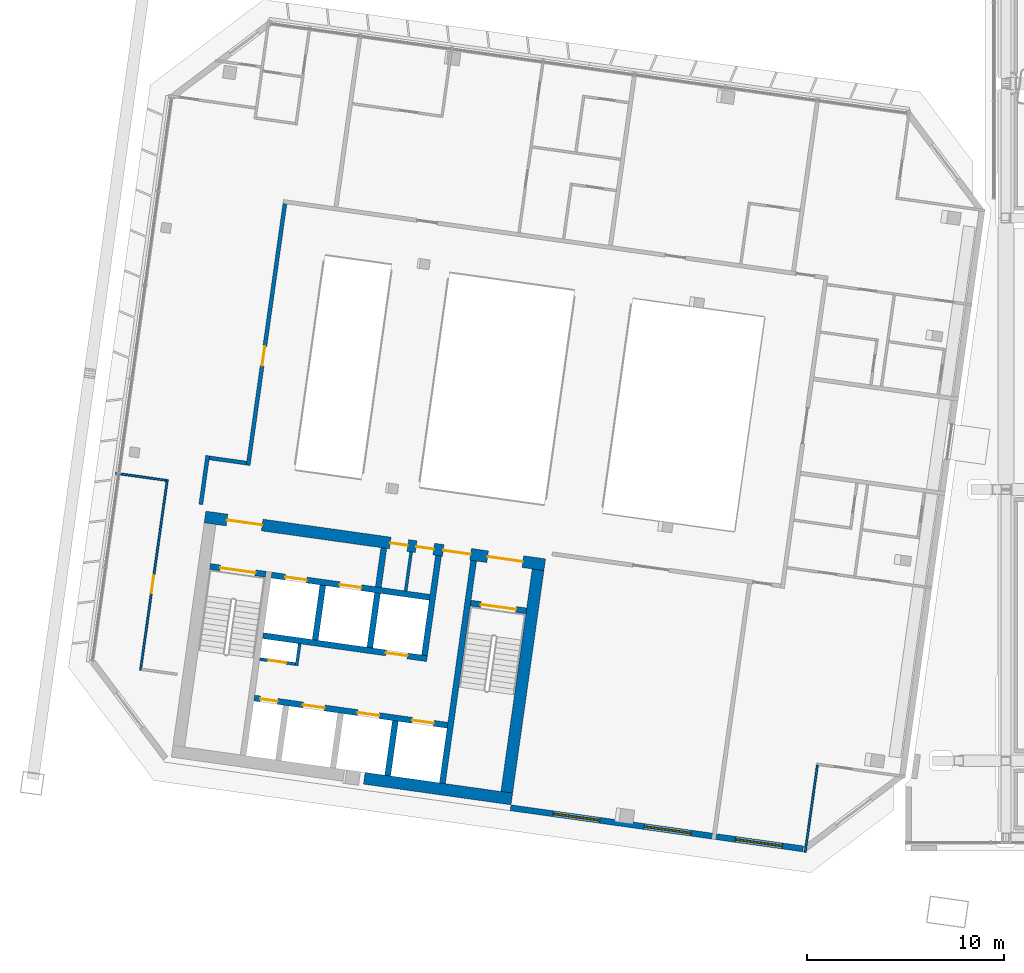
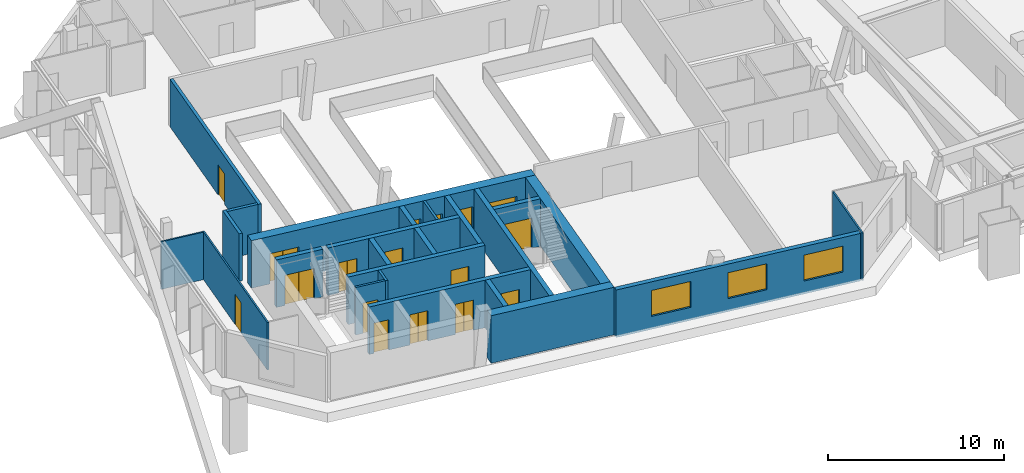
# One storey, part 15 of 28: 24 walls, 17 doors, 3 windows, 20 openings.
"""IFC4 building model written with IfcOpenShell, lengths in metres."""

import ifcopenshell
import ifcopenshell.guid

model = None  # the IFC model being written
_history = None  # IfcOwnerHistory: only IFC2X3 demands one
_inside = {}  # id of a spatial element -> (the spatial element, [elements in it])
_under = {}  # id of a project, library or spatial element -> (it, [spatial elements below it])
_declared = {}  # id of a project -> (the project, [libraries it declares])
_typed = {}  # id of a type object -> (the type object, [elements of that type])
_made_of = {}  # id of a material, layer set ... -> (it, [elements and type objects made of it])


def new_model(schema):
    """Start an empty IFC model of exactly this schema.

    Asked for "IFC4X3", IfcOpenShell would pick the latest addendum, in which some entities
    have other attributes; the version numbers below select the first issue.
    IFC2X3 requires an IfcOwnerHistory on every rooted entity: one is made here for all.
    """
    global model, _history
    if schema == "IFC4X3":
        model = ifcopenshell.file(schema_version=(4, 3, 0, 0))
    else:
        model = ifcopenshell.file(schema=schema)
    _inside.clear()
    _under.clear()
    _declared.clear()
    _typed.clear()
    _made_of.clear()
    _history = None
    if model.schema == "IFC2X3":
        org = make("IfcOrganization", Name="unknown")
        user = make(
            "IfcPersonAndOrganization",
            ThePerson=make("IfcPerson", FamilyName="unknown"),
            TheOrganization=org,
        )
        app = make(
            "IfcApplication",
            ApplicationDeveloper=org,
            Version="unknown",
            ApplicationFullName="unknown",
            ApplicationIdentifier="unknown",
        )
        _history = make(
            "IfcOwnerHistory",
            OwningUser=user,
            OwningApplication=app,
            ChangeAction="ADDED",
            CreationDate=0,
        )
    return model


def make(cls, **values):
    """One entity of the class cls with the attributes given. An attribute that is None is left unset."""
    return model.create_entity(
        cls, **{name: value for name, value in values.items() if value is not None}
    )


def rooted(cls, **values):
    """An entity with a GlobalId (a new one), such as an element, a storey or a relation."""
    return make(cls, GlobalId=ifcopenshell.guid.new(), OwnerHistory=_history, **values)


def si_unit(unit_type, name, prefix=None):
    """IfcSIUnit, for example si_unit("LENGTHUNIT", "METRE", prefix="MILLI")."""
    return make("IfcSIUnit", UnitType=unit_type, Prefix=prefix, Name=name)


def assignment(units):
    """IfcUnitAssignment: the units of a project."""
    return None if units is None else make("IfcUnitAssignment", Units=units)


def point(xyz):
    """IfcCartesianPoint."""
    return None if xyz is None else make("IfcCartesianPoint", Coordinates=xyz)


def direction(xyz):
    """IfcDirection."""
    return None if xyz is None else make("IfcDirection", DirectionRatios=xyz)


def frame(location, z_axis=None, x_axis=None):
    """IfcAxis2Placement3D, a coordinate frame: its origin and axes. An axis left out is left unset."""
    return make(
        "IfcAxis2Placement3D",
        Location=point(location),
        Axis=direction(z_axis),
        RefDirection=direction(x_axis),
    )


def frame_2d(location, x_axis=None):
    """IfcAxis2Placement2D, a coordinate frame in the plane: its origin and x axis."""
    return make(
        "IfcAxis2Placement2D", Location=point(location), RefDirection=direction(x_axis)
    )


def origin():
    """The frame at (0, 0, 0) with its axes left unset."""
    return frame((0.0, 0.0, 0.0))


def place(relative_to, where):
    """IfcLocalPlacement: puts the frame where relative to a parent placement (None: the world)."""
    return make(
        "IfcLocalPlacement", PlacementRelTo=relative_to, RelativePlacement=where
    )


def context(
    kind, dimensions, precision=None, world=None, true_north=None, identifier=None
):
    """IfcGeometricRepresentationContext, for example the 3D "Model" context."""
    return make(
        "IfcGeometricRepresentationContext",
        ContextIdentifier=identifier,
        ContextType=kind,
        CoordinateSpaceDimension=dimensions,
        Precision=precision,
        WorldCoordinateSystem=world,
        TrueNorth=true_north,
    )


def subcontext(parent, identifier, kind, view, scale=None):
    """IfcGeometricRepresentationSubContext, for example "Body" below "Model"."""
    return make(
        "IfcGeometricRepresentationSubContext",
        ContextIdentifier=identifier,
        ContextType=kind,
        ParentContext=parent,
        TargetScale=scale,
        TargetView=view,
    )


def project(units=None, contexts=None):
    """IfcProject with its units and contexts."""
    return rooted(
        "IfcProject",
        Name="project",
        RepresentationContexts=contexts,
        UnitsInContext=assignment(units),
    )


def spatial(cls, under=None, at=None, **own):
    """A site, building, storey or space (cls), placed at a placement, below another one or the project."""
    s = rooted(cls, ObjectPlacement=at, **own)
    if under is not None:
        _under.setdefault(under.id(), (under, []))[1].append(s)
    return s


def profile(cls, at=None, kind="AREA", **sizes):
    """A parametric profile (cls). Its sizes go by their IFC names, for example OverallWidth=200.0."""
    return make(cls, ProfileType=kind, Position=at, **sizes)


def rectangle(**sizes):
    """IfcRectangleProfileDef."""
    return profile("IfcRectangleProfileDef", **sizes)


def extrude(swept, where, along, depth):
    """IfcExtrudedAreaSolid: the profile swept, set in the frame where, extruded along a direction by depth."""
    return make(
        "IfcExtrudedAreaSolid",
        SweptArea=swept,
        Position=where,
        ExtrudedDirection=direction(along),
        Depth=depth,
    )


def shape(context_of_items, identifier, shape_type, items):
    """IfcShapeRepresentation: the items that make up one representation, for example the "Body"."""
    return make(
        "IfcShapeRepresentation",
        ContextOfItems=context_of_items,
        RepresentationIdentifier=identifier,
        RepresentationType=shape_type,
        Items=items,
    )


def material(Name=None, Category=None):
    """IfcMaterial."""
    return make("IfcMaterial", Name=Name, Category=Category)


def layer(
    of_material, thickness, ventilated=None, Name=None, Category=None, Priority=None
):
    """IfcMaterialLayer: one layer of a wall or slab, of a material (None: an air gap)."""
    return make(
        "IfcMaterialLayer",
        Material=of_material,
        LayerThickness=thickness,
        IsVentilated=ventilated,
        Name=Name,
        Category=Category,
        Priority=Priority,
    )


def layer_set(layers, Name=None):
    """IfcMaterialLayerSet."""
    return make("IfcMaterialLayerSet", MaterialLayers=layers, LayerSetName=Name)


def made_of(thing, what):
    """Note that an element or type object is made of a material, layer set ...; save() writes the relation."""
    if what is not None:
        _made_of.setdefault(what.id(), (what, []))[1].append(thing)
    return thing


def type_object(cls, material=None, **own):
    """A type object (cls), such as IfcWallType, which elements share."""
    return made_of(rooted(cls, **own), material)


def element(
    cls,
    number,
    at=None,
    inside=None,
    cuts=None,
    type_object=None,
    material=None,
    context=None,
    identifier="Body",
    shape_type=None,
    held_by="IfcProductDefinitionShape",
    body=None,
    shapes=None,
    **own,
):
    """One element of the class cls, such as IfcWall. Its Tag is "e" and its number.

    at: its placement. inside: the storey or other place that contains it. cuts: it is an
    opening in that element (IfcRelVoidsElement). A single representation is given by context,
    identifier, shape_type and body (its items); several are given by shapes. held_by: the class
    of the entity that holds the representations. save() writes the other relations.
    """
    e = rooted(cls, Tag="e%d" % number, ObjectPlacement=at, **own)
    if body is not None:
        shapes = [shape(context, identifier, shape_type, body)]
    if shapes is not None:
        e.Representation = make(held_by, Representations=shapes)
    if inside is not None:
        _inside.setdefault(inside.id(), (inside, []))[1].append(e)
    if cuts is not None:
        rooted(
            "IfcRelVoidsElement", RelatingBuildingElement=cuts, RelatedOpeningElement=e
        )
    if type_object is not None:
        _typed.setdefault(type_object.id(), (type_object, []))[1].append(e)
    return made_of(e, material)


def fill(opening, filler):
    """IfcRelFillsElement: the door or window that sits in an opening."""
    return rooted(
        "IfcRelFillsElement",
        RelatingOpeningElement=opening,
        RelatedBuildingElement=filler,
    )


def aggregate(whole, parts):
    """IfcRelAggregates: a whole, such as a stair, and the parts it consists of."""
    return rooted("IfcRelAggregates", RelatingObject=whole, RelatedObjects=parts)


def save(model, path):
    """Write the relations noted so far, then the file.

    IfcRelAggregates (storeys below a building ...), IfcRelContainedInSpatialStructure (elements
    in a storey), IfcRelDefinesByType, IfcRelAssociatesMaterial and IfcRelDeclares: one each for
    every whole, place, type object, material and project.
    """
    for whole, parts in _under.values():
        aggregate(whole, parts)
    for where, things in _inside.values():
        rooted(
            "IfcRelContainedInSpatialStructure",
            RelatedElements=things,
            RelatingStructure=where,
        )
    for kind, things in _typed.values():
        rooted("IfcRelDefinesByType", RelatedObjects=things, RelatingType=kind)
    for what, things in _made_of.values():
        rooted("IfcRelAssociatesMaterial", RelatedObjects=things, RelatingMaterial=what)
    for by, libraries in _declared.values():
        rooted("IfcRelDeclares", RelatingContext=by, RelatedDefinitions=libraries)
    model.write(path)


model = new_model("IFC4")

# Units and contexts
model_context = context("Model", 3, precision=1e-05, world=origin(), true_north=direction((0.0, 1.0)))
body_context = subcontext(model_context, "Body", "Model", "MODEL_VIEW")
ifc_project = project(units=[si_unit("LENGTHUNIT", "METRE"), si_unit("AREAUNIT", "SQUARE_METRE"), si_unit("VOLUMEUNIT", "CUBIC_METRE"), si_unit("PLANEANGLEUNIT", "RADIAN"), si_unit("MASSUNIT", "GRAM", prefix="KILO")], contexts=[model_context])

# Site, building, storey
site_placement = place(None, origin())
site = spatial("IfcSite", under=ifc_project, at=site_placement, CompositionType="ELEMENT")
building_placement = place(site_placement, origin())
building = spatial("IfcBuilding", under=site, at=building_placement, Name="Mirante Cascada Hotel Towers", CompositionType="ELEMENT")
storey_placement = place(building_placement, frame((0.0, 0.0, 262.2)))
storey = spatial("IfcBuildingStorey", under=building, at=storey_placement, Name="L63", CompositionType="ELEMENT", Elevation=262.2)

# Wall
ifc_material_1 = material(Name="Fire-rated plasterboard on metal studs")
ifc_layer_1 = layer(ifc_material_1, 0.2)
ifc_layer_set_1 = layer_set([ifc_layer_1], Name="Compartment wall 200 EI 120")
wall_type_1 = type_object("IfcWallType", Name="Compartment wall 200 EI 120", PredefinedType="PARTITIONING", material=ifc_layer_set_1)
wall_1_placement = place(storey_placement, frame((-50.7737, -2.5139, 0.0), z_axis=(0.0, 0.0, 1.0), x_axis=(-0.9902628, 0.1392105, 0.0)))
element("IfcWall", 1, at=wall_1_placement, inside=storey, type_object=wall_type_1, Name="Wall 1-L63-06", PredefinedType="PARTITIONING", context=body_context, shape_type="SweptSolid", body=[
    extrude(rectangle(XDim=1.9, YDim=0.2, at=frame_2d((0.95, 0.0))), origin(), (0.0, 0.0, 1.0), 3.3),
])

# Wall, opening, door
wall_2_placement = place(storey_placement, frame((-48.8237, 10.6428, 0.0), z_axis=(0.0, 0.0, 1.0), x_axis=(-0.1391716, -0.9902683, 0.0)))
wall_2 = element("IfcWall", 2, at=wall_2_placement, inside=storey, type_object=wall_type_1, Name="Wall 1-L63-43", PredefinedType="PARTITIONING", context=body_context, shape_type="SweptSolid", body=[
    extrude(rectangle(XDim=13.4, YDim=0.2, at=frame_2d((6.7, 0.0))), origin(), (0.0, 0.0, 1.0), 3.3),
])
opening_1_placement = place(wall_2_placement, frame((7.3, 0.0, 0.0)))
opening_1 = element("IfcOpeningElement", 3, at=opening_1_placement, cuts=wall_2, Name="Opening D1-L63-26", PredefinedType="OPENING", context=body_context, shape_type="SweptSolid", body=[
    extrude(rectangle(XDim=1.0, YDim=2.1, at=frame_2d((0.5, 1.05))), frame((0.0, 0.1, 0.0), z_axis=(0.0, -1.0, 0.0), x_axis=(1.0, 0.0, 0.0)), (0.0, 0.0, 1.0), 0.2),
])
ifc_material_2 = material(Name="Fire-rated timber door leaf", Category="wood")
door_type_1 = type_object("IfcDoorType", Name="Entrance door DG1 1000x2100 EI 60", OperationType="SINGLE_SWING_LEFT", PredefinedType="DOOR", material=ifc_material_2)
door_1_placement = place(opening_1_placement, frame((1.0, 0.0, 0.0), z_axis=(0.0, 0.0, 1.0), x_axis=(-1.0, 0.0, 0.0)))
door_1 = element("IfcDoor", 4, at=door_1_placement, inside=storey, type_object=door_type_1, Name="Door D1-L63-26", OperationType="SINGLE_SWING_RIGHT", OverallHeight=2.1, OverallWidth=1.0, PredefinedType="DOOR", context=body_context, shape_type="SweptSolid", body=[
    extrude(rectangle(XDim=1.0, YDim=2.1, at=frame_2d((0.5, 1.05))), frame((0.0, 0.025, 0.0), z_axis=(0.0, -1.0, 0.0), x_axis=(1.0, 0.0, 0.0)), (0.0, 0.0, 1.0), 0.05),
])
fill(opening_1, door_1)

# Walls
wall_3_placement = place(storey_placement, frame((-52.7403, -2.1365, 0.0), z_axis=(0.0, 0.0, 1.0), x_axis=(-0.1391586, -0.9902701, 0.0)))
element("IfcWall", 5, at=wall_3_placement, inside=storey, type_object=wall_type_1, Name="Wall 1-L63-45", PredefinedType="PARTITIONING", context=body_context, shape_type="SweptSolid", body=[
    extrude(rectangle(XDim=2.5, YDim=0.2, at=frame_2d((1.25, 0.0))), origin(), (0.0, 0.0, 1.0), 3.3),
])
ifc_material_3 = material(Name="Masonry block", Category="masonry")
ifc_layer_2 = layer(ifc_material_3, 0.15)
ifc_layer_set_2 = layer_set([ifc_layer_2], Name="Core room partition 150 block EI 30")
wall_type_2 = type_object("IfcWallType", Name="Core room partition 150 block EI 30", PredefinedType="PARTITIONING", material=ifc_layer_set_2)
wall_4_placement = place(storey_placement, frame((-48.2295, -12.793, 0.0), z_axis=(0.0, 0.0, 1.0), x_axis=(0.1391935, 0.9902652, 0.0)))
element("IfcWall", 6, at=wall_4_placement, inside=storey, type_object=wall_type_2, Name="Core wall partition T1 L63 2", PredefinedType="PARTITIONING", context=body_context, shape_type="SweptSolid", body=[
    extrude(rectangle(XDim=1.1251, YDim=0.15, at=frame_2d((0.5626, 0.0))), origin(), (0.0, 0.0, 1.0), 3.3),
])

# Wall, opening, door
wall_5_placement = place(storey_placement, frame((-48.2933, -12.7083, 0.0), z_axis=(0.0, 0.0, 1.0), x_axis=(-0.990268, 0.1391734, 0.0)))
wall_5 = element("IfcWall", 7, at=wall_5_placement, inside=storey, type_object=wall_type_2, Name="Core wall partition T1 L63 3", PredefinedType="PARTITIONING", context=body_context, shape_type="SweptSolid", body=[
    extrude(rectangle(XDim=1.8251, YDim=0.15, at=frame_2d((0.9126, 0.0))), origin(), (0.0, 0.0, 1.0), 3.3),
])
opening_2_placement = place(wall_5_placement, frame((0.4625, 0.0, 0.0)))
opening_2 = element("IfcOpeningElement", 8, at=opening_2_placement, cuts=wall_5, Name="Opening D1-63-C13", PredefinedType="OPENING", context=body_context, shape_type="SweptSolid", body=[
    extrude(rectangle(XDim=0.9, YDim=2.1, at=frame_2d((0.45, 1.05))), frame((0.0, 0.075, 0.0), z_axis=(0.0, -1.0, 0.0), x_axis=(1.0, 0.0, 0.0)), (0.0, 0.0, 1.0), 0.15),
])
ifc_material_4 = material(Name="Hollow metal fire door leaf")
door_type_2 = type_object("IfcDoorType", Name="Fire door 900x2100 FD60", OperationType="NOTDEFINED", PredefinedType="DOOR", material=ifc_material_4)
door_2_placement = place(opening_2_placement, origin())
door_2 = element("IfcDoor", 9, at=door_2_placement, inside=storey, type_object=door_type_2, Name="Riser door T1 L63 13", OperationType="SINGLE_SWING_LEFT", OverallHeight=2.1, OverallWidth=0.9, PredefinedType="DOOR", context=body_context, shape_type="SweptSolid", body=[
    extrude(rectangle(XDim=0.9, YDim=2.1, at=frame_2d((0.45, 1.05))), frame((0.0, 0.025, 0.0), z_axis=(0.0, -1.0, 0.0), x_axis=(1.0, 0.0, 0.0)), (0.0, 0.0, 1.0), 0.05),
])
fill(opening_2, door_2)

# Walls
wall_6_placement = place(storey_placement, frame((-42.6979, -9.0009, 0.0), z_axis=(0.0, 0.0, 1.0), x_axis=(0.1391529, 0.9902709, 0.0)))
element("IfcWall", 10, at=wall_6_placement, inside=storey, type_object=wall_type_2, Name="Core wall partition T1 L63 4", PredefinedType="PARTITIONING", context=body_context, shape_type="SweptSolid", body=[
    extrude(rectangle(XDim=2.0, YDim=0.15, at=frame_2d((1.0, 0.0))), origin(), (0.0, 0.0, 1.0), 3.3),
])
ifc_material_5 = material(Name="Masonry block", Category="masonry")
ifc_layer_3 = layer(ifc_material_5, 0.3)
ifc_layer_set_3 = layer_set([ifc_layer_3], Name="Core wall 300 block EI 120")
wall_type_3 = type_object("IfcWallType", Name="Core wall 300 block EI 120", PredefinedType="PARTITIONING", material=ifc_layer_set_3)
wall_7_placement = place(storey_placement, frame((-44.0843, -8.8061, 0.0), z_axis=(0.0, 0.0, 1.0), x_axis=(0.1391951, 0.990265, 0.0)))
element("IfcWall", 11, at=wall_7_placement, inside=storey, type_object=wall_type_3, Name="Core wall partition T1 L63 1", PredefinedType="PARTITIONING", context=body_context, shape_type="SweptSolid", body=[
    extrude(rectangle(XDim=2.0001, YDim=0.3, at=frame_2d((1.0001, 0.0))), origin(), (0.0, 0.0, 1.0), 3.3),
])
ifc_material_6 = material(Name="Plasterboard on metal studs")
ifc_layer_4 = layer(ifc_material_6, 0.1)
ifc_layer_set_4 = layer_set([ifc_layer_4], Name="Partition 100")
wall_type_4 = type_object("IfcWallType", Name="Partition 100", PredefinedType="PARTITIONING", material=ifc_layer_set_4)
wall_8_placement = place(storey_placement, frame((-57.4099, -3.0286, 0.0), z_axis=(0.0, 0.0, 1.0), x_axis=(0.9902712, -0.1391507, 0.0)))
element("IfcWall", 12, at=wall_8_placement, inside=storey, type_object=wall_type_4, Name="Wall 1-L63-05", PredefinedType="PARTITIONING", context=body_context, shape_type="SweptSolid", body=[
    extrude(rectangle(XDim=2.59, YDim=0.1, at=frame_2d((1.295, 0.0))), origin(), (0.0, 0.0, 1.0), 3.3),
])
wall_9_placement = place(storey_placement, frame((-21.8133, -17.8436, 0.0), z_axis=(0.0, 0.0, 1.0), x_axis=(-0.1391715, -0.9902683, 0.0)))
element("IfcWall", 13, at=wall_9_placement, inside=storey, type_object=wall_type_4, Name="Wall 1-L63-29", PredefinedType="PARTITIONING", context=body_context, shape_type="SweptSolid", body=[
    extrude(rectangle(XDim=4.4499, YDim=0.1, at=frame_2d((2.225, 0.0))), origin(), (0.0, 0.0, 1.0), 3.3),
])

# Wall, opening, door
wall_10_placement = place(storey_placement, frame((-54.7886, -3.3465, 0.0), z_axis=(0.0, 0.0, 1.0), x_axis=(-0.1391776, -0.9902674, 0.0)))
wall_10 = element("IfcWall", 14, at=wall_10_placement, inside=storey, type_object=wall_type_4, Name="Wall 1-L63-47", PredefinedType="PARTITIONING", context=body_context, shape_type="SweptSolid", body=[
    extrude(rectangle(XDim=9.7667, YDim=0.1, at=frame_2d((4.8834, 0.0))), origin(), (0.0, 0.0, 1.0), 3.3),
])
opening_3_placement = place(wall_10_placement, frame((4.9167, 0.0, 0.0)))
opening_3 = element("IfcOpeningElement", 15, at=opening_3_placement, cuts=wall_10, Name="Opening D1-L63-28", PredefinedType="OPENING", context=body_context, shape_type="SweptSolid", body=[
    extrude(rectangle(XDim=0.9, YDim=2.1, at=frame_2d((0.45, 1.05))), frame((0.0, 0.05, 0.0), z_axis=(0.0, -1.0, 0.0), x_axis=(1.0, 0.0, 0.0)), (0.0, 0.0, 1.0), 0.1),
])
ifc_material_7 = material(Name="Timber door leaf", Category="wood")
door_type_3 = type_object("IfcDoorType", Name="Room door DG3 900x2100", OperationType="SINGLE_SWING_LEFT", PredefinedType="DOOR", material=ifc_material_7)
door_3_placement = place(opening_3_placement, origin())
door_3 = element("IfcDoor", 16, at=door_3_placement, inside=storey, type_object=door_type_3, Name="Door D1-L63-28", OperationType="SINGLE_SWING_LEFT", OverallHeight=2.1, OverallWidth=0.9, PredefinedType="DOOR", context=body_context, shape_type="SweptSolid", body=[
    extrude(rectangle(XDim=0.9, YDim=2.1, at=frame_2d((0.45, 1.05))), frame((0.0, 0.025, 0.0), z_axis=(0.0, -1.0, 0.0), x_axis=(1.0, 0.0, 0.0)), (0.0, 0.0, 1.0), 0.05),
])
fill(opening_3, door_3)

# Wall, openings, windows
ifc_material_8 = material(Name="Precast concrete C40/50", Category="concrete")
ifc_layer_5 = layer(ifc_material_8, 0.3)
ifc_layer_set_5 = layer_set([ifc_layer_5], Name="Precast concrete C40/50 cladding wall 300")
wall_type_5 = type_object("IfcWallType", Name="Precast concrete C40/50 cladding wall 300", PredefinedType="STANDARD", material=ifc_layer_set_5)
wall_11_placement = place(storey_placement, frame((-22.5347, -22.0844, 0.0), z_axis=(0.0, 0.0, 1.0), x_axis=(-0.9902681, 0.1391726, 0.0)))
wall_11 = element("IfcWall", 17, at=wall_11_placement, inside=storey, type_object=wall_type_5, Name="Rear cladding wall T1 L63 1", PredefinedType="STANDARD", context=body_context, shape_type="SweptSolid", body=[
    extrude(rectangle(XDim=14.9879, YDim=0.3, at=frame_2d((7.494, 0.0))), origin(), (0.0, 0.0, 1.0), 3.3),
])
opening_4_placement = place(wall_11_placement, frame((1.0728, 0.0, 0.9)))
opening_4 = element("IfcOpeningElement", 18, at=opening_4_placement, cuts=wall_11, Name="Opening W1-63-01", PredefinedType="OPENING", context=body_context, shape_type="SweptSolid", body=[
    extrude(rectangle(XDim=2.4, YDim=1.8, at=frame_2d((1.2, 0.9))), frame((0.0, 0.15, 0.0), z_axis=(0.0, -1.0, 0.0), x_axis=(1.0, 0.0, 0.0)), (0.0, 0.0, 1.0), 0.3),
])
opening_5_placement = place(wall_11_placement, frame((5.7425, 0.0, 0.9)))
opening_5 = element("IfcOpeningElement", 19, at=opening_5_placement, cuts=wall_11, Name="Opening W1-63-02", PredefinedType="OPENING", context=body_context, shape_type="SweptSolid", body=[
    extrude(rectangle(XDim=2.4, YDim=1.8, at=frame_2d((1.2, 0.9))), frame((0.0, 0.15, 0.0), z_axis=(0.0, -1.0, 0.0), x_axis=(1.0, 0.0, 0.0)), (0.0, 0.0, 1.0), 0.3),
])
opening_6_placement = place(wall_11_placement, frame((10.4122, 0.0, 0.9)))
opening_6 = element("IfcOpeningElement", 20, at=opening_6_placement, cuts=wall_11, Name="Opening W1-63-03", PredefinedType="OPENING", context=body_context, shape_type="SweptSolid", body=[
    extrude(rectangle(XDim=2.4, YDim=1.8, at=frame_2d((1.2, 0.9))), frame((0.0, 0.15, 0.0), z_axis=(0.0, -1.0, 0.0), x_axis=(1.0, 0.0, 0.0)), (0.0, 0.0, 1.0), 0.3),
])
ifc_material_9 = material(Name="Aluminium frame with clear double glazing", Category="aluminium")
window_type = type_object("IfcWindowType", Name="Punched window 2400x1800", PartitioningType="DOUBLE_PANEL_VERTICAL", PredefinedType="WINDOW", material=ifc_material_9)
window_1_placement = place(opening_4_placement, origin())
window_1 = element("IfcWindow", 21, at=window_1_placement, inside=storey, type_object=window_type, Name="Window W1-63-01", OverallHeight=1.8, OverallWidth=2.4, PartitioningType="SINGLE_PANEL", PredefinedType="WINDOW", context=body_context, shape_type="SweptSolid", body=[
    extrude(rectangle(XDim=2.4, YDim=1.8, at=frame_2d((1.2, 0.9))), frame((0.0, 0.03, 0.0), z_axis=(0.0, -1.0, 0.0), x_axis=(1.0, 0.0, 0.0)), (0.0, 0.0, 1.0), 0.06),
])
fill(opening_4, window_1)
window_2_placement = place(opening_5_placement, origin())
window_2 = element("IfcWindow", 22, at=window_2_placement, inside=storey, type_object=window_type, Name="Window W1-63-02", OverallHeight=1.8, OverallWidth=2.4, PartitioningType="SINGLE_PANEL", PredefinedType="WINDOW", context=body_context, shape_type="SweptSolid", body=[
    extrude(rectangle(XDim=2.4, YDim=1.8, at=frame_2d((1.2, 0.9))), frame((0.0, 0.03, 0.0), z_axis=(0.0, -1.0, 0.0), x_axis=(1.0, 0.0, 0.0)), (0.0, 0.0, 1.0), 0.06),
])
fill(opening_5, window_2)
window_3_placement = place(opening_6_placement, origin())
window_3 = element("IfcWindow", 23, at=window_3_placement, inside=storey, type_object=window_type, Name="Window W1-63-03", OverallHeight=1.8, OverallWidth=2.4, PartitioningType="SINGLE_PANEL", PredefinedType="WINDOW", context=body_context, shape_type="SweptSolid", body=[
    extrude(rectangle(XDim=2.4, YDim=1.8, at=frame_2d((1.2, 0.9))), frame((0.0, 0.03, 0.0), z_axis=(0.0, -1.0, 0.0), x_axis=(1.0, 0.0, 0.0)), (0.0, 0.0, 1.0), 0.06),
])
fill(opening_6, window_3)

# Wall
ifc_material_10 = material(Name="Concrete C50/60", Category="concrete")
ifc_layer_6 = layer(ifc_material_10, 0.3)
ifc_layer_set_6 = layer_set([ifc_layer_6], Name="RC core wall 300 C50/60")
wall_type_6 = type_object("IfcWallType", Name="RC core wall 300 C50/60", PredefinedType="SHEAR", material=ifc_layer_set_6)
wall_12_placement = place(storey_placement, frame((-40.8373, -18.7548, 0.0), z_axis=(0.0, 0.0, 1.0), x_axis=(0.1391749, 0.9902678, 0.0)))
element("IfcWall", 24, at=wall_12_placement, inside=storey, type_object=wall_type_6, Name="Core wall T1:L63:5", PredefinedType="SHEAR", context=body_context, shape_type="SweptSolid", body=[
    extrude(rectangle(XDim=11.4, YDim=0.3, at=frame_2d((5.7, 0.0))), origin(), (0.0, 0.0, 1.0), 3.3),
])

# Wall, opening, door
wall_13_placement = place(storey_placement, frame((-36.5791, -10.0123, 0.0), z_axis=(0.0, 0.0, 1.0), x_axis=(-0.9902704, 0.1391564, 0.0)))
wall_13 = element("IfcWall", 25, at=wall_13_placement, inside=storey, type_object=wall_type_6, Name="Core wall T1:L63:7", PredefinedType="SHEAR", context=body_context, shape_type="SweptSolid", body=[
    extrude(rectangle(XDim=2.85, YDim=0.3, at=frame_2d((1.425, 0.0))), origin(), (0.0, 0.0, 1.0), 3.3),
])
opening_7_placement = place(wall_13_placement, frame((0.525, 0.0, 0.0)))
opening_7 = element("IfcOpeningElement", 26, at=opening_7_placement, cuts=wall_13, Name="Opening D1-63-C07", PredefinedType="OPENING", context=body_context, shape_type="SweptSolid", body=[
    extrude(rectangle(XDim=1.8, YDim=2.1, at=frame_2d((0.9, 1.05))), frame((0.0, 0.15, 0.0), z_axis=(0.0, -1.0, 0.0), x_axis=(1.0, 0.0, 0.0)), (0.0, 0.0, 1.0), 0.3),
])
ifc_material_11 = material(Name="Hollow metal fire door leaf")
door_type_4 = type_object("IfcDoorType", Name="Double fire door 1800x2100 FD60", OperationType="DOUBLE_DOOR_SINGLE_SWING", PredefinedType="DOOR", material=ifc_material_11)
door_4_placement = place(opening_7_placement, origin())
door_4 = element("IfcDoor", 27, at=door_4_placement, inside=storey, type_object=door_type_4, Name="Stair door T1 L63 7", OperationType="DOUBLE_DOOR_SINGLE_SWING", OverallHeight=2.1, OverallWidth=1.8, PredefinedType="DOOR", context=body_context, shape_type="SweptSolid", body=[
    extrude(rectangle(XDim=0.895, YDim=2.1, at=frame_2d((0.4475, 1.05))), frame((0.0, 0.025, 0.0), z_axis=(0.0, -1.0, 0.0), x_axis=(1.0, 0.0, 0.0)), (0.0, 0.0, 1.0), 0.05),
    extrude(rectangle(XDim=0.895, YDim=2.1, at=frame_2d((1.3525, 1.05))), frame((0.0, 0.025, 0.0), z_axis=(0.0, -1.0, 0.0), x_axis=(1.0, 0.0, 0.0)), (0.0, 0.0, 1.0), 0.05),
])
fill(opening_7, door_4)

wall_14_placement = place(storey_placement, frame((-49.7992, -8.1544, 0.0), z_axis=(0.0, 0.0, 1.0), x_axis=(-0.9902656, 0.1391909, 0.0)))
wall_14 = element("IfcWall", 28, at=wall_14_placement, inside=storey, type_object=wall_type_6, Name="Core wall T1:L63:8", PredefinedType="SHEAR", context=body_context, shape_type="SweptSolid", body=[
    extrude(rectangle(XDim=2.85, YDim=0.3, at=frame_2d((1.425, 0.0))), origin(), (0.0, 0.0, 1.0), 3.3),
])
opening_8_placement = place(wall_14_placement, frame((0.525, 0.0, 0.0)))
opening_8 = element("IfcOpeningElement", 29, at=opening_8_placement, cuts=wall_14, Name="Opening D1-63-C09", PredefinedType="OPENING", context=body_context, shape_type="SweptSolid", body=[
    extrude(rectangle(XDim=1.8, YDim=2.1, at=frame_2d((0.9, 1.05))), frame((0.0, 0.15, 0.0), z_axis=(0.0, -1.0, 0.0), x_axis=(1.0, 0.0, 0.0)), (0.0, 0.0, 1.0), 0.3),
])
door_5_placement = place(opening_8_placement, origin())
door_5 = element("IfcDoor", 30, at=door_5_placement, inside=storey, type_object=door_type_4, Name="Stair door T1 L63 9", OperationType="DOUBLE_DOOR_SINGLE_SWING", OverallHeight=2.1, OverallWidth=1.8, PredefinedType="DOOR", context=body_context, shape_type="SweptSolid", body=[
    extrude(rectangle(XDim=0.895, YDim=2.1, at=frame_2d((0.4475, 1.05))), frame((0.0, 0.025, 0.0), z_axis=(0.0, -1.0, 0.0), x_axis=(1.0, 0.0, 0.0)), (0.0, 0.0, 1.0), 0.05),
    extrude(rectangle(XDim=0.895, YDim=2.1, at=frame_2d((1.3525, 1.05))), frame((0.0, 0.025, 0.0), z_axis=(0.0, -1.0, 0.0), x_axis=(1.0, 0.0, 0.0)), (0.0, 0.0, 1.0), 0.05),
])
fill(opening_8, door_5)

# Wall, openings, doors
wall_15_placement = place(storey_placement, frame((-40.5753, -15.8126, 0.0), z_axis=(0.0, 0.0, 1.0), x_axis=(-0.9902682, 0.1391725, 0.0)))
wall_15 = element("IfcWall", 31, at=wall_15_placement, inside=storey, type_object=wall_type_6, Name="Core wall T1:L63:9", PredefinedType="SHEAR", context=body_context, shape_type="SweptSolid", body=[
    extrude(rectangle(XDim=9.8999, YDim=0.3, at=frame_2d((4.95, 0.0))), origin(), (0.0, 0.0, 1.0), 3.3),
])
opening_9_placement = place(wall_15_placement, frame((0.7, 0.0, 0.0)))
opening_9 = element("IfcOpeningElement", 32, at=opening_9_placement, cuts=wall_15, Name="Opening LD", PredefinedType="OPENING", context=body_context, shape_type="SweptSolid", body=[
    extrude(rectangle(XDim=1.1, YDim=2.1, at=frame_2d((0.55, 1.05))), frame((0.0, 0.15, 0.0), z_axis=(0.0, -1.0, 0.0), x_axis=(1.0, 0.0, 0.0)), (0.0, 0.0, 1.0), 0.3),
])
opening_10_placement = place(wall_15_placement, frame((3.5, 0.0, 0.0)))
opening_10 = element("IfcOpeningElement", 33, at=opening_10_placement, cuts=wall_15, Name="Opening LD", PredefinedType="OPENING", context=body_context, shape_type="SweptSolid", body=[
    extrude(rectangle(XDim=1.1, YDim=2.1, at=frame_2d((0.55, 1.05))), frame((0.0, 0.15, 0.0), z_axis=(0.0, -1.0, 0.0), x_axis=(1.0, 0.0, 0.0)), (0.0, 0.0, 1.0), 0.3),
])
opening_11_placement = place(wall_15_placement, frame((6.3, 0.0, 0.0)))
opening_11 = element("IfcOpeningElement", 34, at=opening_11_placement, cuts=wall_15, Name="Opening LD", PredefinedType="OPENING", context=body_context, shape_type="SweptSolid", body=[
    extrude(rectangle(XDim=1.1, YDim=2.1, at=frame_2d((0.55, 1.05))), frame((0.0, 0.15, 0.0), z_axis=(0.0, -1.0, 0.0), x_axis=(1.0, 0.0, 0.0)), (0.0, 0.0, 1.0), 0.3),
])
opening_12_placement = place(wall_15_placement, frame((8.7, 0.0, 0.0)))
opening_12 = element("IfcOpeningElement", 35, at=opening_12_placement, cuts=wall_15, Name="Opening D1-63-C12", PredefinedType="OPENING", context=body_context, shape_type="SweptSolid", body=[
    extrude(rectangle(XDim=0.9, YDim=2.1, at=frame_2d((0.45, 1.05))), frame((0.0, 0.15, 0.0), z_axis=(0.0, -1.0, 0.0), x_axis=(1.0, 0.0, 0.0)), (0.0, 0.0, 1.0), 0.3),
])
door_6_placement = place(opening_12_placement, origin())
door_6 = element("IfcDoor", 36, at=door_6_placement, inside=storey, type_object=door_type_2, Name="Riser door T1 L63 12", OperationType="SINGLE_SWING_LEFT", OverallHeight=2.1, OverallWidth=0.9, PredefinedType="DOOR", context=body_context, shape_type="SweptSolid", body=[
    extrude(rectangle(XDim=0.9, YDim=2.1, at=frame_2d((0.45, 1.05))), frame((0.0, 0.025, 0.0), z_axis=(0.0, -1.0, 0.0), x_axis=(1.0, 0.0, 0.0)), (0.0, 0.0, 1.0), 0.05),
])
fill(opening_12, door_6)
ifc_material_12 = material(Name="Stainless steel", Category="steel")
door_type_5 = type_object("IfcDoorType", Name="Lift landing door 1100x2100 EI 120", OperationType="DOUBLE_DOOR_SLIDING", PredefinedType="DOOR", material=ifc_material_12)
door_7_placement = place(opening_9_placement, origin())
door_7 = element("IfcDoor", 37, at=door_7_placement, inside=storey, type_object=door_type_5, Name="Lift landing door HR1-1 L63", OperationType="DOUBLE_DOOR_SLIDING", OverallHeight=2.1, OverallWidth=1.1, PredefinedType="DOOR", context=body_context, shape_type="SweptSolid", body=[
    extrude(rectangle(XDim=0.545, YDim=2.1, at=frame_2d((0.2725, 1.05))), frame((0.0, 0.025, 0.0), z_axis=(0.0, -1.0, 0.0), x_axis=(1.0, 0.0, 0.0)), (0.0, 0.0, 1.0), 0.05),
    extrude(rectangle(XDim=0.545, YDim=2.1, at=frame_2d((0.8275, 1.05))), frame((0.0, 0.025, 0.0), z_axis=(0.0, -1.0, 0.0), x_axis=(1.0, 0.0, 0.0)), (0.0, 0.0, 1.0), 0.05),
])
fill(opening_9, door_7)
door_8_placement = place(opening_10_placement, origin())
door_8 = element("IfcDoor", 38, at=door_8_placement, inside=storey, type_object=door_type_5, Name="Lift landing door HR1-2 L63", OperationType="DOUBLE_DOOR_SLIDING", OverallHeight=2.1, OverallWidth=1.1, PredefinedType="DOOR", context=body_context, shape_type="SweptSolid", body=[
    extrude(rectangle(XDim=0.545, YDim=2.1, at=frame_2d((0.2725, 1.05))), frame((0.0, 0.025, 0.0), z_axis=(0.0, -1.0, 0.0), x_axis=(1.0, 0.0, 0.0)), (0.0, 0.0, 1.0), 0.05),
    extrude(rectangle(XDim=0.545, YDim=2.1, at=frame_2d((0.8275, 1.05))), frame((0.0, 0.025, 0.0), z_axis=(0.0, -1.0, 0.0), x_axis=(1.0, 0.0, 0.0)), (0.0, 0.0, 1.0), 0.05),
])
fill(opening_10, door_8)
door_9_placement = place(opening_11_placement, origin())
door_9 = element("IfcDoor", 39, at=door_9_placement, inside=storey, type_object=door_type_5, Name="Lift landing door HR1-3 L63", OperationType="DOUBLE_DOOR_SLIDING", OverallHeight=2.1, OverallWidth=1.1, PredefinedType="DOOR", context=body_context, shape_type="SweptSolid", body=[
    extrude(rectangle(XDim=0.545, YDim=2.1, at=frame_2d((0.2725, 1.05))), frame((0.0, 0.025, 0.0), z_axis=(0.0, -1.0, 0.0), x_axis=(1.0, 0.0, 0.0)), (0.0, 0.0, 1.0), 0.05),
    extrude(rectangle(XDim=0.545, YDim=2.1, at=frame_2d((0.8275, 1.05))), frame((0.0, 0.025, 0.0), z_axis=(0.0, -1.0, 0.0), x_axis=(1.0, 0.0, 0.0)), (0.0, 0.0, 1.0), 0.05),
])
fill(opening_11, door_9)

# Wall, opening, door
wall_16_placement = place(storey_placement, frame((-41.6153, -12.435, 0.0), z_axis=(0.0, 0.0, 1.0), x_axis=(-0.9902691, 0.139166, 0.0)))
wall_16 = element("IfcWall", 40, at=wall_16_placement, inside=storey, type_object=wall_type_6, Name="Core wall T1:L63:10", PredefinedType="SHEAR", context=body_context, shape_type="SweptSolid", body=[
    extrude(rectangle(XDim=8.4, YDim=0.3, at=frame_2d((4.2, 0.0))), origin(), (0.0, 0.0, 1.0), 3.3),
])
opening_13_placement = place(wall_16_placement, frame((1.0, 0.0, 0.0)))
opening_13 = element("IfcOpeningElement", 41, at=opening_13_placement, cuts=wall_16, Name="Opening LD", PredefinedType="OPENING", context=body_context, shape_type="SweptSolid", body=[
    extrude(rectangle(XDim=1.1, YDim=2.1, at=frame_2d((0.55, 1.05))), frame((0.0, 0.15, 0.0), z_axis=(0.0, -1.0, 0.0), x_axis=(1.0, 0.0, 0.0)), (0.0, 0.0, 1.0), 0.3),
])
door_10_placement = place(opening_13_placement, origin())
door_10 = element("IfcDoor", 42, at=door_10_placement, inside=storey, type_object=door_type_5, Name="Lift landing door HR1-4 L63", OperationType="DOUBLE_DOOR_SLIDING", OverallHeight=2.1, OverallWidth=1.1, PredefinedType="DOOR", context=body_context, shape_type="SweptSolid", body=[
    extrude(rectangle(XDim=0.545, YDim=2.1, at=frame_2d((0.2725, 1.05))), frame((0.0, 0.025, 0.0), z_axis=(0.0, -1.0, 0.0), x_axis=(1.0, 0.0, 0.0)), (0.0, 0.0, 1.0), 0.05),
    extrude(rectangle(XDim=0.545, YDim=2.1, at=frame_2d((0.8275, 1.05))), frame((0.0, 0.025, 0.0), z_axis=(0.0, -1.0, 0.0), x_axis=(1.0, 0.0, 0.0)), (0.0, 0.0, 1.0), 0.05),
])
fill(opening_13, door_10)

# Wall, openings, doors
wall_17_placement = place(storey_placement, frame((-41.481, -9.3234, 0.0), z_axis=(0.0, 0.0, 1.0), x_axis=(-0.9902679, 0.1391741, 0.0)))
wall_17 = element("IfcWall", 43, at=wall_17_placement, inside=storey, type_object=wall_type_6, Name="Core wall T1:L63:11", PredefinedType="SHEAR", context=body_context, shape_type="SweptSolid", body=[
    extrude(rectangle(XDim=8.0999, YDim=0.3, at=frame_2d((4.05, 0.0))), origin(), (0.0, 0.0, 1.0), 3.3),
])
opening_14_placement = place(wall_17_placement, frame((3.5, 0.0, 0.0)))
opening_14 = element("IfcOpeningElement", 44, at=opening_14_placement, cuts=wall_17, Name="Opening LD", PredefinedType="OPENING", context=body_context, shape_type="SweptSolid", body=[
    extrude(rectangle(XDim=1.1, YDim=2.1, at=frame_2d((0.55, 1.05))), frame((0.0, 0.15, 0.0), z_axis=(0.0, -1.0, 0.0), x_axis=(1.0, 0.0, 0.0)), (0.0, 0.0, 1.0), 0.3),
])
opening_15_placement = place(wall_17_placement, frame((6.3, 0.0, 0.0)))
opening_15 = element("IfcOpeningElement", 45, at=opening_15_placement, cuts=wall_17, Name="Opening LD", PredefinedType="OPENING", context=body_context, shape_type="SweptSolid", body=[
    extrude(rectangle(XDim=1.1, YDim=2.1, at=frame_2d((0.55, 1.05))), frame((0.0, 0.15, 0.0), z_axis=(0.0, -1.0, 0.0), x_axis=(1.0, 0.0, 0.0)), (0.0, 0.0, 1.0), 0.3),
])
door_11_placement = place(opening_14_placement, origin())
door_11 = element("IfcDoor", 46, at=door_11_placement, inside=storey, type_object=door_type_5, Name="Lift landing door FF1 L63", OperationType="DOUBLE_DOOR_SLIDING", OverallHeight=2.1, OverallWidth=1.1, PredefinedType="DOOR", context=body_context, shape_type="SweptSolid", body=[
    extrude(rectangle(XDim=0.545, YDim=2.1, at=frame_2d((0.2725, 1.05))), frame((0.0, 0.025, 0.0), z_axis=(0.0, -1.0, 0.0), x_axis=(1.0, 0.0, 0.0)), (0.0, 0.0, 1.0), 0.05),
    extrude(rectangle(XDim=0.545, YDim=2.1, at=frame_2d((0.8275, 1.05))), frame((0.0, 0.025, 0.0), z_axis=(0.0, -1.0, 0.0), x_axis=(1.0, 0.0, 0.0)), (0.0, 0.0, 1.0), 0.05),
])
fill(opening_14, door_11)
door_12_placement = place(opening_15_placement, origin())
door_12 = element("IfcDoor", 47, at=door_12_placement, inside=storey, type_object=door_type_5, Name="Lift landing door FF2 L63", OperationType="DOUBLE_DOOR_SLIDING", OverallHeight=2.1, OverallWidth=1.1, PredefinedType="DOOR", context=body_context, shape_type="SweptSolid", body=[
    extrude(rectangle(XDim=0.545, YDim=2.1, at=frame_2d((0.2725, 1.05))), frame((0.0, 0.025, 0.0), z_axis=(0.0, -1.0, 0.0), x_axis=(1.0, 0.0, 0.0)), (0.0, 0.0, 1.0), 0.05),
    extrude(rectangle(XDim=0.545, YDim=2.1, at=frame_2d((0.8275, 1.05))), frame((0.0, 0.025, 0.0), z_axis=(0.0, -1.0, 0.0), x_axis=(1.0, 0.0, 0.0)), (0.0, 0.0, 1.0), 0.05),
])
fill(opening_15, door_12)

# Walls
wall_18_placement = place(storey_placement, frame((-43.61, -18.3651, 0.0), z_axis=(0.0, 0.0, 1.0), x_axis=(0.1391459, 0.9902719, 0.0)))
element("IfcWall", 48, at=wall_18_placement, inside=storey, type_object=wall_type_6, Name="Core wall T1:L63:12", PredefinedType="SHEAR", context=body_context, shape_type="SweptSolid", body=[
    extrude(rectangle(XDim=2.7999, YDim=0.3, at=frame_2d((1.4, 0.0))), origin(), (0.0, 0.0, 1.0), 3.3),
])
for number, where, z_axis, x_axis, name in (
    (49, (-44.5157, -11.8759, 0.0), (0.0, 0.0, 1.0), (0.139181, 0.990267, 0.0), "Core wall T1:L63:15"),
    (50, (-47.2885, -11.4862, 0.0), (0.0, 0.0, 1.0), (0.139181, 0.990267, 0.0), "Core wall T1:L63:16"),
):
    element("IfcWall", number, at=place(storey_placement, frame(where, z_axis=z_axis, x_axis=x_axis)), inside=storey, type_object=wall_type_6, Name=name, PredefinedType="SHEAR", context=body_context, shape_type="SweptSolid", body=[
        extrude(rectangle(XDim=2.8, YDim=0.3, at=frame_2d((1.4, 0.0))), origin(), (0.0, 0.0, 1.0), 3.3),
    ])
wall_19_placement = place(storey_placement, frame((-41.743, -12.2656, 0.0), z_axis=(0.0, 0.0, 1.0), x_axis=(0.1391755, 0.9902677, 0.0)))
element("IfcWall", 51, at=wall_19_placement, inside=storey, type_object=wall_type_6, Name="Core wall T1:L63:17", PredefinedType="SHEAR", context=body_context, shape_type="SweptSolid", body=[
    extrude(rectangle(XDim=5.1, YDim=0.3, at=frame_2d((2.55, 0.0))), origin(), (0.0, 0.0, 1.0), 3.3),
])
ifc_material_13 = material(Name="Concrete C50/60", Category="concrete")
ifc_layer_7 = layer(ifc_material_13, 0.6)
ifc_layer_set_7 = layer_set([ifc_layer_7], Name="RC core wall 600 C50/60")
wall_type_7 = type_object("IfcWallType", Name="RC core wall 600 C50/60", PredefinedType="SHEAR", material=ifc_layer_set_7)
wall_20_placement = place(storey_placement, frame((-37.3141, -19.5529, 0.0), z_axis=(0.0, 0.0, 1.0), x_axis=(-0.9902688, 0.1391676, 0.0)))
element("IfcWall", 52, at=wall_20_placement, inside=storey, type_object=wall_type_7, Name="Core wall T1:L63:1.1", PredefinedType="SHEAR", context=body_context, shape_type="SweptSolid", body=[
    extrude(rectangle(XDim=7.5549, YDim=0.6, at=frame_2d((3.7774, 0.0))), origin(), (0.0, 0.0, 1.0), 3.3),
])

# Wall, openings, doors
wall_21_placement = place(storey_placement, frame((-35.644, -7.6697, 0.0), z_axis=(0.0, 0.0, 1.0), x_axis=(-0.9902682, 0.1391721, 0.0)))
wall_21 = element("IfcWall", 53, at=wall_21_placement, inside=storey, type_object=wall_type_7, Name="Core wall T1:L63:2", PredefinedType="SHEAR", context=body_context, shape_type="SweptSolid", body=[
    extrude(rectangle(XDim=17.4, YDim=0.6, at=frame_2d((8.7, 0.0))), origin(), (0.0, 0.0, 1.0), 3.3),
])
opening_16_placement = place(wall_21_placement, frame((1.125, 0.0, 0.0)))
opening_16 = element("IfcOpeningElement", 54, at=opening_16_placement, cuts=wall_21, Name="Opening D1-63-C08", PredefinedType="OPENING", context=body_context, shape_type="SweptSolid", body=[
    extrude(rectangle(XDim=1.8, YDim=2.1, at=frame_2d((0.9, 1.05))), frame((0.0, 0.3, 0.0), z_axis=(0.0, -1.0, 0.0), x_axis=(1.0, 0.0, 0.0)), (0.0, 0.0, 1.0), 0.6),
])
opening_17_placement = place(wall_21_placement, frame((14.475, 0.0, 0.0)))
opening_17 = element("IfcOpeningElement", 55, at=opening_17_placement, cuts=wall_21, Name="Opening D1-63-C10", PredefinedType="OPENING", context=body_context, shape_type="SweptSolid", body=[
    extrude(rectangle(XDim=1.8, YDim=2.1, at=frame_2d((0.9, 1.05))), frame((0.0, 0.3, 0.0), z_axis=(0.0, -1.0, 0.0), x_axis=(1.0, 0.0, 0.0)), (0.0, 0.0, 1.0), 0.6),
])
opening_18_placement = place(wall_21_placement, frame((3.8, 0.0, 0.0)))
opening_18 = element("IfcOpeningElement", 56, at=opening_18_placement, cuts=wall_21, Name="Opening D1-63-C11", PredefinedType="OPENING", context=body_context, shape_type="SweptSolid", body=[
    extrude(rectangle(XDim=1.4, YDim=2.1, at=frame_2d((0.7, 1.05))), frame((0.0, 0.3, 0.0), z_axis=(0.0, -1.0, 0.0), x_axis=(1.0, 0.0, 0.0)), (0.0, 0.0, 1.0), 0.6),
])
opening_19_placement = place(wall_21_placement, frame((5.6875, 0.0, 0.0)))
opening_19 = element("IfcOpeningElement", 57, at=opening_19_placement, cuts=wall_21, Name="Opening D1-63-C14", PredefinedType="OPENING", context=body_context, shape_type="SweptSolid", body=[
    extrude(rectangle(XDim=0.9, YDim=2.1, at=frame_2d((0.45, 1.05))), frame((0.0, 0.3, 0.0), z_axis=(0.0, -1.0, 0.0), x_axis=(1.0, 0.0, 0.0)), (0.0, 0.0, 1.0), 0.6),
])
opening_20_placement = place(wall_21_placement, frame((7.0125, 0.0, 0.0)))
opening_20 = element("IfcOpeningElement", 58, at=opening_20_placement, cuts=wall_21, Name="Opening D1-63-C15", PredefinedType="OPENING", context=body_context, shape_type="SweptSolid", body=[
    extrude(rectangle(XDim=0.9, YDim=2.1, at=frame_2d((0.45, 1.05))), frame((0.0, 0.3, 0.0), z_axis=(0.0, -1.0, 0.0), x_axis=(1.0, 0.0, 0.0)), (0.0, 0.0, 1.0), 0.6),
])
ifc_material_14 = material(Name="Hollow metal fire door leaf")
door_type_6 = type_object("IfcDoorType", Name="Double fire door 1400x2100 FD60", OperationType="DOUBLE_DOOR_SINGLE_SWING", PredefinedType="DOOR", material=ifc_material_14)
door_13_placement = place(opening_18_placement, frame((1.4, 0.0, 0.0), z_axis=(0.0, 0.0, 1.0), x_axis=(-1.0, 0.0, 0.0)))
door_13 = element("IfcDoor", 59, at=door_13_placement, inside=storey, type_object=door_type_6, Name="Exit door to gallery T1 L63 11", OperationType="DOUBLE_DOOR_SINGLE_SWING", OverallHeight=2.1, OverallWidth=1.4, PredefinedType="DOOR", context=body_context, shape_type="SweptSolid", body=[
    extrude(rectangle(XDim=0.695, YDim=2.1, at=frame_2d((0.3475, 1.05))), frame((0.0, 0.025, 0.0), z_axis=(0.0, -1.0, 0.0), x_axis=(1.0, 0.0, 0.0)), (0.0, 0.0, 1.0), 0.05),
    extrude(rectangle(XDim=0.695, YDim=2.1, at=frame_2d((1.0525, 1.05))), frame((0.0, 0.025, 0.0), z_axis=(0.0, -1.0, 0.0), x_axis=(1.0, 0.0, 0.0)), (0.0, 0.0, 1.0), 0.05),
])
fill(opening_18, door_13)
door_14_placement = place(opening_16_placement, origin())
door_14 = element("IfcDoor", 60, at=door_14_placement, inside=storey, type_object=door_type_4, Name="Exit door to gallery T1 L63 8", OperationType="DOUBLE_DOOR_SINGLE_SWING", OverallHeight=2.1, OverallWidth=1.8, PredefinedType="DOOR", context=body_context, shape_type="SweptSolid", body=[
    extrude(rectangle(XDim=0.895, YDim=2.1, at=frame_2d((0.4475, 1.05))), frame((0.0, 0.025, 0.0), z_axis=(0.0, -1.0, 0.0), x_axis=(1.0, 0.0, 0.0)), (0.0, 0.0, 1.0), 0.05),
    extrude(rectangle(XDim=0.895, YDim=2.1, at=frame_2d((1.3525, 1.05))), frame((0.0, 0.025, 0.0), z_axis=(0.0, -1.0, 0.0), x_axis=(1.0, 0.0, 0.0)), (0.0, 0.0, 1.0), 0.05),
])
fill(opening_16, door_14)
door_15_placement = place(opening_17_placement, origin())
door_15 = element("IfcDoor", 61, at=door_15_placement, inside=storey, type_object=door_type_4, Name="Exit door to gallery T1 L63 10", OperationType="DOUBLE_DOOR_SINGLE_SWING", OverallHeight=2.1, OverallWidth=1.8, PredefinedType="DOOR", context=body_context, shape_type="SweptSolid", body=[
    extrude(rectangle(XDim=0.895, YDim=2.1, at=frame_2d((0.4475, 1.05))), frame((0.0, 0.025, 0.0), z_axis=(0.0, -1.0, 0.0), x_axis=(1.0, 0.0, 0.0)), (0.0, 0.0, 1.0), 0.05),
    extrude(rectangle(XDim=0.895, YDim=2.1, at=frame_2d((1.3525, 1.05))), frame((0.0, 0.025, 0.0), z_axis=(0.0, -1.0, 0.0), x_axis=(1.0, 0.0, 0.0)), (0.0, 0.0, 1.0), 0.05),
])
fill(opening_17, door_15)
door_16_placement = place(opening_19_placement, origin())
door_16 = element("IfcDoor", 62, at=door_16_placement, inside=storey, type_object=door_type_2, Name="Room door T1 L63 14", OperationType="SINGLE_SWING_RIGHT", OverallHeight=2.1, OverallWidth=0.9, PredefinedType="DOOR", context=body_context, shape_type="SweptSolid", body=[
    extrude(rectangle(XDim=0.9, YDim=2.1, at=frame_2d((0.45, 1.05))), frame((0.0, 0.025, 0.0), z_axis=(0.0, -1.0, 0.0), x_axis=(1.0, 0.0, 0.0)), (0.0, 0.0, 1.0), 0.05),
])
fill(opening_19, door_16)
door_17_placement = place(opening_20_placement, origin())
door_17 = element("IfcDoor", 63, at=door_17_placement, inside=storey, type_object=door_type_2, Name="Room door T1 L63 15", OperationType="SINGLE_SWING_RIGHT", OverallHeight=2.1, OverallWidth=0.9, PredefinedType="DOOR", context=body_context, shape_type="SweptSolid", body=[
    extrude(rectangle(XDim=0.9, YDim=2.1, at=frame_2d((0.45, 1.05))), frame((0.0, 0.025, 0.0), z_axis=(0.0, -1.0, 0.0), x_axis=(1.0, 0.0, 0.0)), (0.0, 0.0, 1.0), 0.05),
])
fill(opening_20, door_17)

# Wall
wall_22_placement = place(storey_placement, frame((-37.5694, -19.2141, 0.0), z_axis=(0.0, 0.0, 1.0), x_axis=(0.1391749, 0.9902678, 0.0)))
element("IfcWall", 64, at=wall_22_placement, inside=storey, type_object=wall_type_7, Name="Core wall T1:L63:3", PredefinedType="SHEAR", context=body_context, shape_type="SweptSolid", body=[
    extrude(rectangle(XDim=11.4, YDim=0.6, at=frame_2d((5.7, 0.0))), origin(), (0.0, 0.0, 1.0), 3.3),
])

save(model, "model.ifc")
